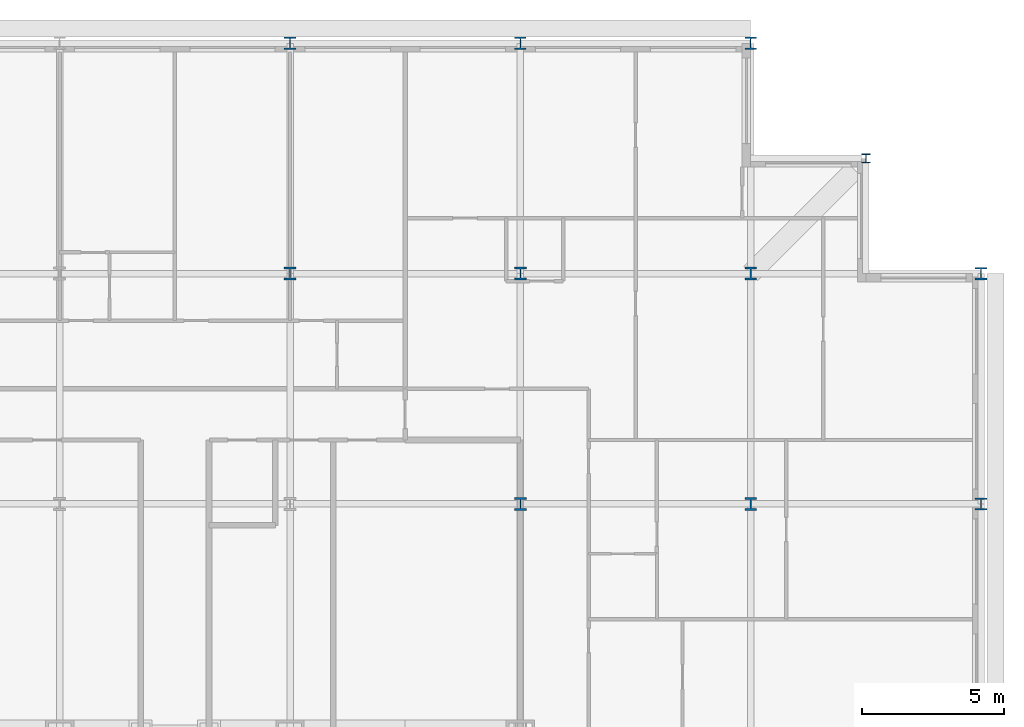
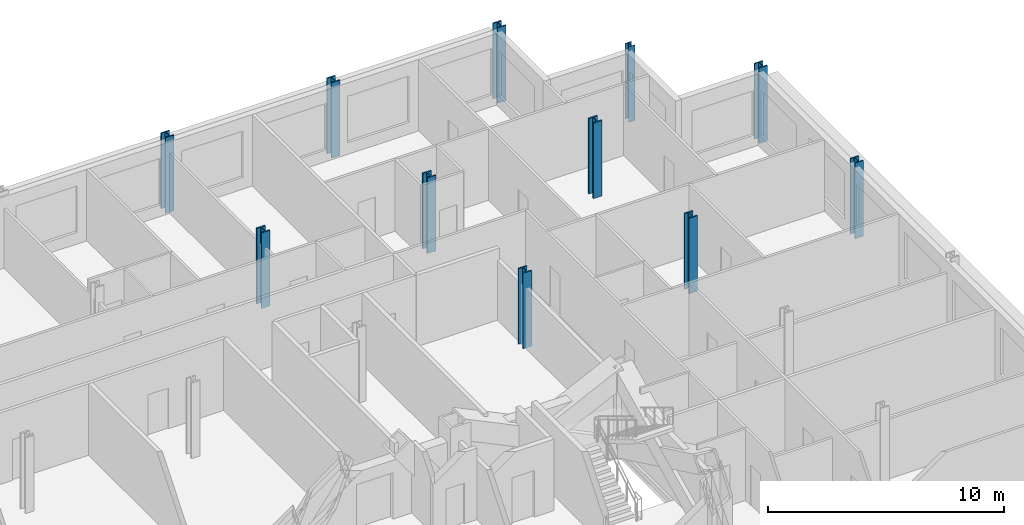
# One storey, part 4 of 15: 11 columns.
"""IFC4 building model written with IfcOpenShell, lengths in metres."""

from ifc_helpers import new_model, si_unit, direction, frame, origin, origin_2d, place, context, subcontext, project, spatial, i_section, extrude, material, material_profile, profile_set, type_object, element, save


model = new_model("IFC4")

# Units and contexts
model_context = context("Model", 3, precision=1e-05, world=origin(), true_north=direction((0.0, 1.0)))
body_context = subcontext(model_context, "Body", "Model", "MODEL_VIEW")
ifc_project = project(units=[si_unit("LENGTHUNIT", "METRE"), si_unit("AREAUNIT", "SQUARE_METRE"), si_unit("VOLUMEUNIT", "CUBIC_METRE"), si_unit("PLANEANGLEUNIT", "RADIAN"), si_unit("MASSUNIT", "GRAM", prefix="KILO")], contexts=[model_context])

# Site, building, storey
site_placement = place(None, origin())
site = spatial("IfcSite", under=ifc_project, at=site_placement, CompositionType="ELEMENT")
building_placement = place(site_placement, origin())
building = spatial("IfcBuilding", under=site, at=building_placement, Name="Kopane Lantern Tower", CompositionType="ELEMENT")
storey_placement = place(building_placement, frame((0.0, 0.0, 250.199951171875)))
storey = spatial("IfcBuildingStorey", under=building, at=storey_placement, Name="L64", CompositionType="ELEMENT", Elevation=250.199951171875)

# Columns
ifc_material_1 = material(Name="Steel S355JR", Category="steel")
ifc_material_profile_1 = material_profile(ifc_material_1, i_section(OverallWidth=0.307373046875, OverallDepth=0.314453125, WebThickness=0.011962890625, FlangeThickness=0.018798828125, FilletRadius=0.01513671875, at=origin_2d()), Name="UC 305x305x118")
ifc_profile_set_1 = profile_set([ifc_material_profile_1], Name="Steel S355JR")
column_type_1 = type_object("IfcColumnType", Name="COLUMN UC 305x305x118", PredefinedType="COLUMN", material=ifc_profile_set_1)
column_placement = place(storey_placement, frame((52.64990234375, 60.75, 0.0), z_axis=(0.0, 0.0, 1.0), x_axis=(1.0, 0.0, 0.0)))
element("IfcColumn", 1, at=column_placement, inside=storey, type_object=column_type_1, Name="Column 52.65/60.75 L64", PredefinedType="COLUMN", context=body_context, shape_type="SweptSolid", body=[
    extrude(i_section(OverallWidth=0.307373046875, OverallDepth=0.314453125, WebThickness=0.011962890625, FlangeThickness=0.018798828125, FilletRadius=0.01513671875, at=origin_2d()), origin(), (0.0, 0.0, 1.0), 3.900146484375),
])
ifc_material_2 = material(Name="Steel S355JR", Category="steel")
ifc_material_profile_2 = material_profile(ifc_material_2, i_section(OverallWidth=0.412109375, OverallDepth=0.4365234375, WebThickness=0.035888671875, FlangeThickness=0.05810546875, FilletRadius=0.01513671875, at=origin_2d()), Name="UC 356x406x467")
ifc_profile_set_2 = profile_set([ifc_material_profile_2], Name="Steel S355JR")
column_type_2 = type_object("IfcColumnType", Name="COLUMN UC 356x406x467", PredefinedType="COLUMN", material=ifc_profile_set_2)
for number, where, z_axis, x_axis, name in (
    (2, (32.39990234375, 64.800048828125, 0.0), (0.0, 0.0, 1.0), (1.0, 0.0, 0.0), "Column 6/K L64"),
    (3, (40.5, 64.800048828125, 0.0), (0.0, 0.0, 1.0), (1.0, 0.0, 0.0), "Column 7/K L64"),
    (4, (48.60009765625, 64.800048828125, 0.0), (0.0, 0.0, 1.0), (1.0, 0.0, 0.0), "Column 8/K L64"),
    (5, (56.699951171875, 48.60009765625, 0.0), (0.0, 0.0, 1.0), (1.0, 0.0, 0.0), "Column 9/H L64"),
    (6, (56.699951171875, 56.699951171875, 0.0), (0.0, 0.0, 1.0), (1.0, 0.0, 0.0), "Column 9/J L64"),
):
    element("IfcColumn", number, at=place(storey_placement, frame(where, z_axis=z_axis, x_axis=x_axis)), inside=storey, type_object=column_type_2, Name=name, PredefinedType="COLUMN", context=body_context, shape_type="SweptSolid", body=[
        extrude(i_section(OverallWidth=0.412109375, OverallDepth=0.4365234375, WebThickness=0.035888671875, FlangeThickness=0.05810546875, FilletRadius=0.01513671875, at=origin_2d()), origin(), (0.0, 0.0, 1.0), 3.900146484375),
    ])
ifc_material_3 = material(Name="Steel S355JR", Category="steel")
ifc_material_profile_3 = material_profile(ifc_material_3, i_section(OverallWidth=0.41845703125, OverallDepth=0.45556640625, WebThickness=0.0419921875, FlangeThickness=0.0673828125, FilletRadius=0.01513671875, at=origin_2d()), Name="UC 356x406x551")
ifc_profile_set_3 = profile_set([ifc_material_profile_3], Name="Steel S355JR")
column_type_3 = type_object("IfcColumnType", Name="COLUMN UC 356x406x551", PredefinedType="COLUMN", material=ifc_profile_set_3)
for number, where, z_axis, x_axis, name in (
    (7, (32.39990234375, 56.699951171875, 0.0), (0.0, 0.0, 1.0), (1.0, 0.0, 0.0), "Column 6/J L64"),
    (8, (40.5, 48.60009765625, 0.0), (0.0, 0.0, 1.0), (1.0, 0.0, 0.0), "Column 7/H L64"),
    (9, (40.5, 56.699951171875, 0.0), (0.0, 0.0, 1.0), (1.0, 0.0, 0.0), "Column 7/J L64"),
    (10, (48.60009765625, 48.60009765625, 0.0), (0.0, 0.0, 1.0), (1.0, 0.0, 0.0), "Column 8/H L64"),
    (11, (48.60009765625, 56.699951171875, 0.0), (0.0, 0.0, 1.0), (1.0, 0.0, 0.0), "Column 8/J L64"),
):
    element("IfcColumn", number, at=place(storey_placement, frame(where, z_axis=z_axis, x_axis=x_axis)), inside=storey, type_object=column_type_3, Name=name, PredefinedType="COLUMN", context=body_context, shape_type="SweptSolid", body=[
        extrude(i_section(OverallWidth=0.41845703125, OverallDepth=0.45556640625, WebThickness=0.0419921875, FlangeThickness=0.0673828125, FilletRadius=0.01513671875, at=origin_2d()), origin(), (0.0, 0.0, 1.0), 3.900146484375),
    ])

save(model, "model.ifc")
